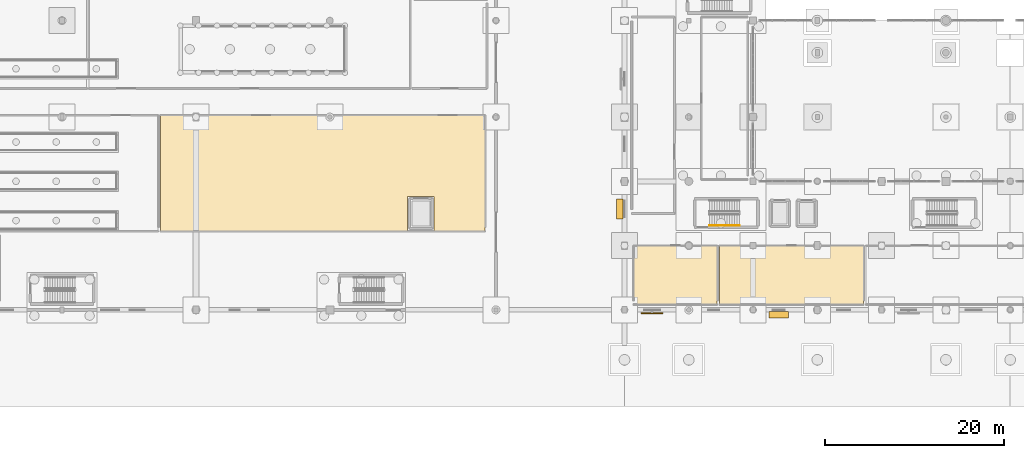
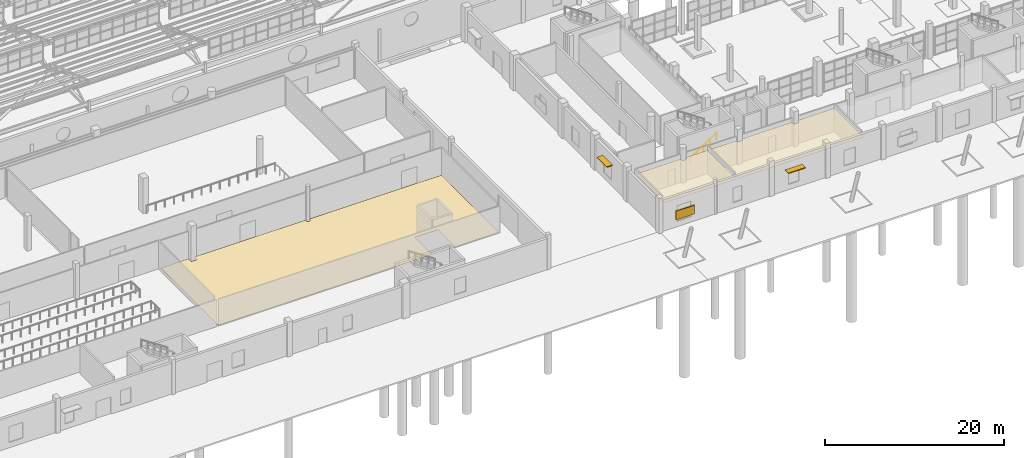
# One storey, part 273 of 285: 3 coverings, 3 shading devices, 1 railing.
"""IFC4 building model written with IfcOpenShell, lengths in metres."""

from ifc_helpers import new_model, si_unit, direction, frame, origin, origin_2d, place, context, subcontext, project, spatial, polyline, rectangle, circle, outline, extrude, material, layer, layer_set, type_object, element, save


model = new_model("IFC4")

# Units and contexts
model_context = context("Model", 3, precision=1e-05, world=origin(), true_north=direction((0.0, 1.0)))
body_context = subcontext(model_context, "Body", "Model", "MODEL_VIEW")
ifc_project = project(units=[si_unit("LENGTHUNIT", "METRE"), si_unit("AREAUNIT", "SQUARE_METRE"), si_unit("VOLUMEUNIT", "CUBIC_METRE"), si_unit("PLANEANGLEUNIT", "RADIAN"), si_unit("MASSUNIT", "GRAM", prefix="KILO")], contexts=[model_context])

# Site, building, storey
site_placement = place(None, origin())
site = spatial("IfcSite", under=ifc_project, at=site_placement, CompositionType="ELEMENT")
building_placement = place(site_placement, origin())
building = spatial("IfcBuilding", under=site, at=building_placement, Name="Solanera Park Tramway Depot", CompositionType="ELEMENT")
storey_placement = place(building_placement, origin())
storey = spatial("IfcBuildingStorey", under=building, at=storey_placement, Name="L00", CompositionType="ELEMENT", Elevation=0.0)

# Coverings
ifc_material_1 = material(Name="Acoustic perforated plasterboard and mineral-fibre ceiling")
ifc_layer_1 = layer(ifc_material_1, 0.02001953125)
ifc_layer_set_1 = layer_set([ifc_layer_1], Name="Acoustic perforated plasterboard and mineral-fibre ceiling")
covering_type_1 = type_object("IfcCoveringType", Name="Acoustic Mineral-Fibre Ceiling 20", PredefinedType="CEILING", material=ifc_layer_set_1)
covering_1_placement = place(storey_placement, frame((0.0, 0.0, 3.14990234375)))
element("IfcCovering", 1, at=covering_1_placement, inside=storey, type_object=covering_type_1, Name="Fire Control and Emergency Command Room Acoustic Ceiling", PredefinedType="CEILING", context=body_context, shape_type="SweptSolid", body=[
    extrude(outline(polyline([(109.0400390625, 11.43994140625), (109.0400390625, 17.9599609375), (114.825927734375, 17.9599609375), (114.850830078125, 17.855224609375), (114.8857421875, 17.7900390625), (114.9326171875, 17.732666015625), (114.989990234375, 17.685791015625), (115.055419921875, 17.65087890625), (115.126220703125, 17.62939453125), (115.199951171875, 17.6220703125), (115.273681640625, 17.62939453125), (115.3447265625, 17.65087890625), (115.409912109375, 17.685791015625), (115.46728515625, 17.732666015625), (115.514404296875, 17.7900390625), (115.54931640625, 17.855224609375), (115.57080078125, 17.92626953125), (118.360107421875, 17.9599609375), (118.360107421875, 11.43994140625), (109.0400390625, 11.43994140625)])), origin(), (0.0, 0.0, 1.0), 0.02001953125),
])
covering_2_placement = place(storey_placement, frame((0.0, 0.0, 3.14990234375)))
element("IfcCovering", 2, at=covering_2_placement, inside=storey, type_object=covering_type_1, Name="Depot Sign-On and Dispatch Lobby Acoustic Ceiling", PredefinedType="CEILING", context=body_context, shape_type="SweptSolid", body=[
    extrude(outline(polyline([(118.639892578125, 17.9599609375), (122.072021484375, 17.9599609375), (122.072021484375, 17.672119140625), (122.72802734375, 17.672119140625), (122.72802734375, 17.9599609375), (129.297119140625, 17.9599609375), (129.297119140625, 17.547119140625), (129.903076171875, 17.547119140625), (129.903076171875, 17.9599609375), (134.760009765625, 17.9599609375), (134.760009765625, 11.43994140625), (118.639892578125, 11.43994140625), (118.639892578125, 17.9599609375)])), origin(), (0.0, 0.0, 1.0), 0.02001953125),
])
ifc_material_2 = material(Name="Heavy-duty slip-resistant epoxy resin screed")
ifc_layer_2 = layer(ifc_material_2, 0.011962890625)
ifc_layer_set_2 = layer_set([ifc_layer_2], Name="Heavy-duty slip-resistant epoxy resin screed")
covering_type_2 = type_object("IfcCoveringType", Name="Epoxy Industrial Workshop Flooring 12", PredefinedType="FLOORING", material=ifc_layer_set_2)
covering_3_placement = place(storey_placement, origin())
element("IfcCovering", 3, at=covering_3_placement, inside=storey, type_object=covering_type_2, Name="Running Repair Inspection Bay Hall Floor Finish", PredefinedType="FLOORING", context=body_context, shape_type="SweptSolid", body=[
    extrude(outline(polyline([(59.64501953125, 32.56005859375), (59.64501953125, 31.945068359375), (60.35498046875, 31.945068359375), (60.35498046875, 32.56005859375), (74.802978515625, 32.56005859375), (74.764404296875, 32.49755859375), (74.75, 32.44970703125), (74.75, 32.350341796875), (74.764404296875, 32.302490234375), (74.7880859375, 32.25830078125), (74.8583984375, 32.18798828125), (74.90234375, 32.164306640625), (74.9501953125, 32.14990234375), (75.0498046875, 32.14990234375), (75.09765625, 32.164306640625), (75.1416015625, 32.18798828125), (75.2119140625, 32.25830078125), (75.235595703125, 32.302490234375), (75.25, 32.350341796875), (75.25, 32.44970703125), (75.235595703125, 32.49755859375), (75.2119140625, 32.541748046875), (92.360107421875, 32.56005859375), (92.360107421875, 19.639892578125), (56.0400390625, 19.639892578125), (56.0400390625, 32.56005859375), (59.64501953125, 32.56005859375)]), holes=[polyline([(83.7099609375, 19.7099609375), (86.68994140625, 19.7099609375), (86.68994140625, 23.489990234375), (83.7099609375, 23.489990234375), (83.7099609375, 19.7099609375)])]), origin(), (0.0, 0.0, 1.0), 0.011962890625),
])

# Railing
ifc_material_3 = material(Name="Brushed stainless steel 316 handrail", Category="steel")
ifc_layer_3 = layer(ifc_material_3, 0.050048828125)
ifc_layer_set_3 = layer_set([ifc_layer_3], Name="Brushed stainless steel 316 handrail")
railing_type = type_object("IfcRailingType", Name="Stair Pitch Tubular Handrail 920", PredefinedType="HANDRAIL", material=ifc_layer_set_3)
railing_placement = place(storey_placement, frame((117.5, 20.25, 0.1845703125)))
element("IfcRailing", 4, at=railing_placement, inside=storey, type_object=railing_type, Name="ST-01 L00 Pitch Handrail 1", PredefinedType="HANDRAIL", context=body_context, shape_type="SweptSolid", body=[
    extrude(circle(Radius=0.02392578125, at=origin_2d()), frame((0.0, 0.0, 0.89599609375), z_axis=(0.834876476806, 0.0, 0.550437342915), x_axis=(0.0, 1.0, 0.0)), (0.0, 0.0, 1.0), 4.024658203125),
    extrude(circle(Radius=0.02099609375, at=origin_2d()), origin(), (0.0, 0.0, 1.0), 0.871826171875),
    extrude(circle(Radius=0.02099609375, at=origin_2d()), frame((0.840087890625, 0.0, 0.5537109375)), (0.0, 0.0, 1.0), 0.871826171875),
    extrude(circle(Radius=0.02099609375, at=origin_2d()), frame((1.68017578125, 0.0, 1.107666015625)), (0.0, 0.0, 1.0), 0.871826171875),
    extrude(circle(Radius=0.02099609375, at=origin_2d()), frame((2.52001953125, 0.0, 1.66162109375)), (0.0, 0.0, 1.0), 0.871826171875),
    extrude(circle(Radius=0.02099609375, at=origin_2d()), frame((3.360107421875, 0.0, 2.21533203125)), (0.0, 0.0, 1.0), 0.871826171875),
])

# Shading devices
ifc_material_4 = material(Name="Extruded terracotta brise-soleil hood", Category="masonry")
shading_device_type_1 = type_object("IfcShadingDeviceType", Name="Terracotta Brise-Soleil Sunshade Hood 2200x750", PredefinedType="USERDEFINED", material=ifc_material_4)
for number, where, z_axis, x_axis, name in (
    (5, (125.27490234375, 10.264892578125, 2.77001953125), (0.0, 0.0, 1.0), (1.0, 0.0, 0.0), "Terracotta Brise-Soleil Sunshade #017"),
    (6, (107.465087890625, 22.10009765625, 2.869873046875), (0.0, 0.0, 1.0), (0.0, -1.0, 0.0), "Terracotta Brise-Soleil Sunshade #023"),
):
    element("IfcShadingDevice", number, at=place(storey_placement, frame(where, z_axis=z_axis, x_axis=x_axis)), inside=storey, type_object=shading_device_type_1, Name=name, ObjectType="SUNSHADE", PredefinedType="USERDEFINED", context=body_context, shape_type="SweptSolid", body=[
        extrude(rectangle(XDim=2.199951171875, YDim=0.75, at=origin_2d()), origin(), (0.0, 0.0, 1.0), 0.1201171875),
    ])
ifc_material_5 = material(Name="Powder-coated aluminium aerofoil louvre", Category="aluminium")
shading_device_type_2 = type_object("IfcShadingDeviceType", Name="Timber-Look Aluminium Jalousie Louvre 2400x1200", PredefinedType="JALOUSIE", material=ifc_material_5)
shading_device_placement = place(storey_placement, frame((111.10009765625, 10.39990234375, 1.19482421875), z_axis=(0.0, 0.0, 1.0), x_axis=(1.0, 0.0, 0.0)))
element("IfcShadingDevice", 7, at=shading_device_placement, inside=storey, type_object=shading_device_type_2, Name="Jalousie Louvre Screen #016", PredefinedType="JALOUSIE", context=body_context, shape_type="SweptSolid", body=[
    extrude(rectangle(XDim=2.39990234375, YDim=0.1201171875, at=origin_2d()), origin(), (0.0, 0.0, 1.0), 1.199951171875),
])

save(model, "model.ifc")
